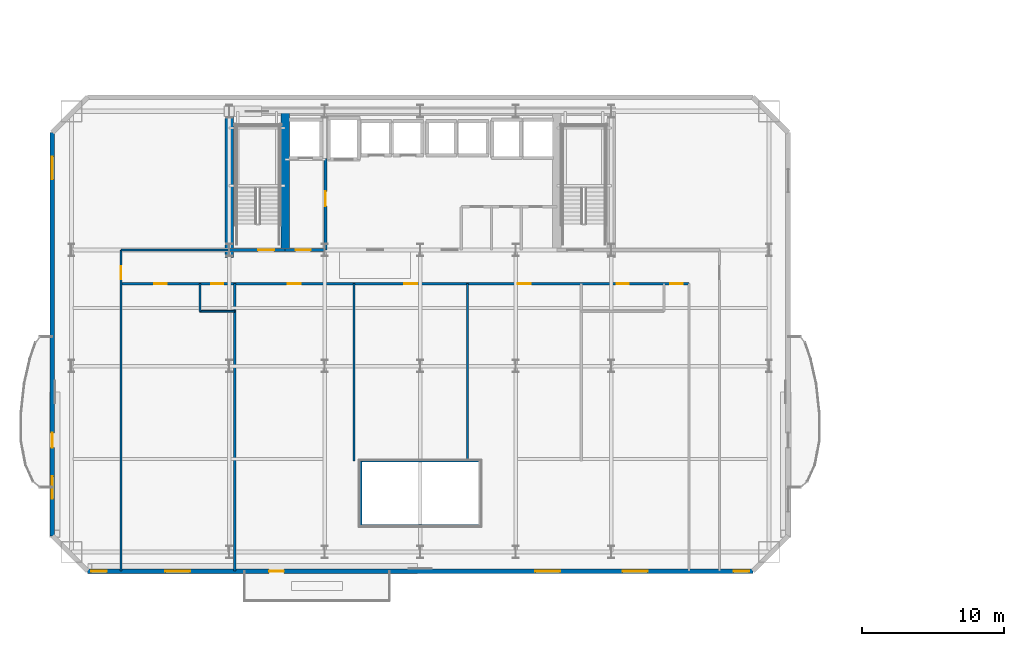
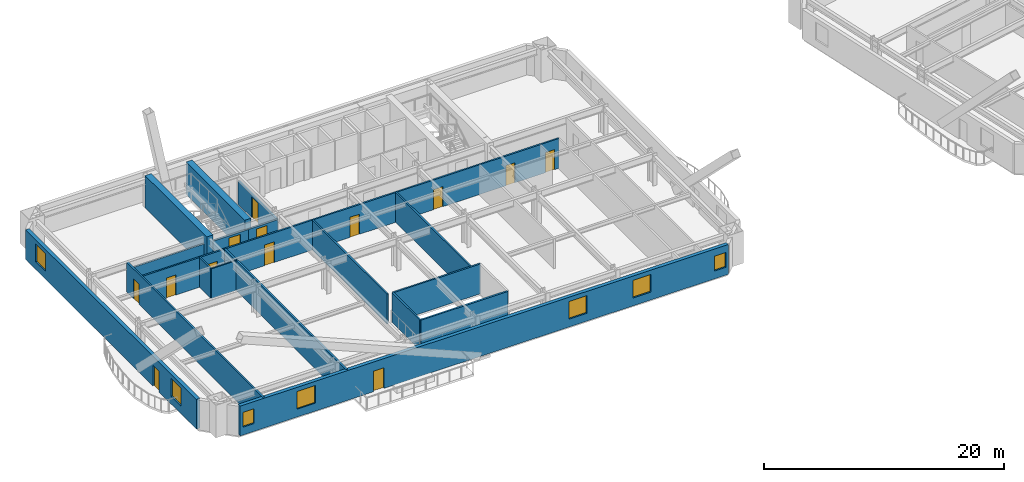
# One storey, part 5 of 18: 18 walls, 13 doors, 7 windows, 20 openings.
"""IFC4 building model written with IfcOpenShell, lengths in metres."""

from ifc_helpers import new_model, si_unit, direction, frame, frame_2d, origin, place, context, subcontext, project, spatial, rectangle, extrude, material, layer, layer_set, type_object, element, fill, save


model = new_model("IFC4")

# Units and contexts
model_context = context("Model", 3, precision=1e-05, world=origin(), true_north=direction((0.0, 1.0)))
body_context = subcontext(model_context, "Body", "Model", "MODEL_VIEW")
ifc_project = project(units=[si_unit("LENGTHUNIT", "METRE"), si_unit("AREAUNIT", "SQUARE_METRE"), si_unit("VOLUMEUNIT", "CUBIC_METRE"), si_unit("PLANEANGLEUNIT", "RADIAN"), si_unit("MASSUNIT", "GRAM", prefix="KILO")], contexts=[model_context])

# Site, building, storey
site_placement = place(None, origin())
site = spatial("IfcSite", under=ifc_project, at=site_placement, CompositionType="ELEMENT")
building_placement = place(site_placement, origin())
building = spatial("IfcBuilding", under=site, at=building_placement, Name="Haevon Station Towers", CompositionType="ELEMENT")
storey_placement = place(building_placement, frame((0.0, 0.0, 60.300048828125)))
storey = spatial("IfcBuildingStorey", under=building, at=storey_placement, Name="L15", CompositionType="ELEMENT", Elevation=60.300048828125)

# Walls
ifc_material_1 = material(Name="Gypsum board on steel stud", Category="steel")
ifc_layer_1 = layer(ifc_material_1, 0.179931640625)
ifc_layer_set_1 = layer_set([ifc_layer_1], Name="Gypsum board on steel stud")
wall_type_1 = type_object("IfcWallType", Name="WL-ACU180", PredefinedType="PARTITIONING", material=ifc_layer_set_1)
wall_1_placement = place(storey_placement, frame((33.300048828125, 18.699951171875, 0.0), z_axis=(0.0, 0.0, 1.0), x_axis=(1.0, 0.0, 0.0)))
element("IfcWall", 1, at=wall_1_placement, inside=storey, type_object=wall_type_1, Name="WL-T1PT-L15-06", PredefinedType="PARTITIONING", context=body_context, shape_type="SweptSolid", body=[
    extrude(rectangle(XDim=8.39990234375, YDim=0.179931640625, at=frame_2d((4.199951171875, 0.0))), origin(), (0.0, 0.0, 1.0), 3.030029296875),
])
wall_2_placement = place(storey_placement, frame((24.3798828125, 15.5, 0.0), z_axis=(0.0, 0.0, 1.0), x_axis=(0.0, 1.0, 0.0)))
element("IfcWall", 2, at=wall_2_placement, inside=storey, type_object=wall_type_1, Name="WL-T1PT-L15-12", PredefinedType="PARTITIONING", context=body_context, shape_type="SweptSolid", body=[
    extrude(rectangle(XDim=20.320068359375, YDim=0.179931640625, at=frame_2d((10.16015625, 0.0))), origin(), (0.0, 0.0, 1.0), 3.030029296875),
])

# Wall, opening, door
ifc_layer_2 = layer(ifc_material_1, 0.199951171875)
ifc_layer_set_2 = layer_set([ifc_layer_2], Name="Gypsum board on steel stud")
wall_type_2 = type_object("IfcWallType", Name="WL-COR200", PredefinedType="PARTITIONING", material=ifc_layer_set_2)
wall_3_placement = place(storey_placement, frame((24.0, 38.199951171875, 0.0), z_axis=(0.0, 0.0, 1.0), x_axis=(1.0, 0.0, 0.0)))
wall_3 = element("IfcWall", 3, at=wall_3_placement, inside=storey, type_object=wall_type_2, Name="WL-ST-ST1-L15", PredefinedType="PARTITIONING", context=body_context, shape_type="SweptSolid", body=[
    extrude(rectangle(XDim=3.949951171875, YDim=0.199951171875, at=frame_2d((1.97509765625, 0.0))), origin(), (0.0, 0.0, 1.0), 2.329833984375),
])
opening_1_placement = place(wall_3_placement, frame((2.050048828125, 0.0, 0.0)))
opening_1 = element("IfcOpeningElement", 4, at=opening_1_placement, cuts=wall_3, Name="Opening DR-ST-ST1-L15", PredefinedType="OPENING", context=body_context, shape_type="SweptSolid", body=[
    extrude(rectangle(XDim=1.1201171875, YDim=2.10009765625, at=frame_2d((0.56005859375, 1.050048828125))), frame((0.0, 0.10986328125, 0.0), z_axis=(0.0, -1.0, 0.0), x_axis=(1.0, 0.0, 0.0)), (0.0, 0.0, 1.0), 0.219970703125),
])
ifc_material_2 = material(Name="Engineered oak timber", Category="wood")
door_type_1 = type_object("IfcDoorType", Name="DR-ST-1120", OperationType="NOTDEFINED", PredefinedType="DOOR", material=ifc_material_2)
door_1_placement = place(opening_1_placement, origin())
door_1 = element("IfcDoor", 5, at=door_1_placement, inside=storey, type_object=door_type_1, Name="L15 Escape Stair ST1 Fire Door", OperationType="SINGLE_SWING_RIGHT", OverallHeight=2.10009765625, OverallWidth=1.1201171875, PredefinedType="DOOR", context=body_context, shape_type="SweptSolid", body=[
    extrude(rectangle(XDim=1.1201171875, YDim=2.10009765625, at=frame_2d((0.56005859375, 1.050048828125))), frame((0.0, 0.02490234375, 0.0), z_axis=(0.0, -1.0, 0.0), x_axis=(1.0, 0.0, 0.0)), (0.0, 0.0, 1.0), 0.050048828125),
])
fill(opening_1, door_1)

wall_4_placement = place(storey_placement, frame((30.800048828125, 38.199951171875, 0.0), z_axis=(0.0, 0.0, 1.0), x_axis=(0.0, 1.0, 0.0)))
wall_4 = element("IfcWall", 6, at=wall_4_placement, inside=storey, type_object=wall_type_2, Name="WL-T1FFL-L15-E", PredefinedType="PARTITIONING", context=body_context, shape_type="SweptSolid", body=[
    extrude(rectangle(XDim=6.449951171875, YDim=0.199951171875, at=frame_2d((3.22509765625, 0.0))), origin(), (0.0, 0.0, 1.0), 2.329833984375),
])
opening_2_placement = place(wall_4_placement, frame((3.10009765625, 0.0, 0.0)))
opening_2 = element("IfcOpeningElement", 7, at=opening_2_placement, cuts=wall_4, Name="Opening DR-T1FFL-L15-E", PredefinedType="OPENING", context=body_context, shape_type="SweptSolid", body=[
    extrude(rectangle(XDim=1.050048828125, YDim=2.10009765625, at=frame_2d((0.52490234375, 1.050048828125))), frame((0.0, 0.10986328125, 0.0), z_axis=(0.0, -1.0, 0.0), x_axis=(1.0, 0.0, 0.0)), (0.0, 0.0, 1.0), 0.219970703125),
])
door_type_2 = type_object("IfcDoorType", Name="DR-FD60-1050", OperationType="NOTDEFINED", PredefinedType="DOOR", material=ifc_material_2)
door_2_placement = place(opening_2_placement, origin())
door_2 = element("IfcDoor", 8, at=door_2_placement, inside=storey, type_object=door_type_2, Name="L15 Tower 1 Firefighting Lift Lobby Door E", OperationType="SINGLE_SWING_RIGHT", OverallHeight=2.10009765625, OverallWidth=1.050048828125, PredefinedType="DOOR", context=body_context, shape_type="SweptSolid", body=[
    extrude(rectangle(XDim=1.050048828125, YDim=2.10009765625, at=frame_2d((0.52490234375, 1.050048828125))), frame((0.0, 0.02490234375, 0.0), z_axis=(0.0, -1.0, 0.0), x_axis=(1.0, 0.0, 0.0)), (0.0, 0.0, 1.0), 0.050048828125),
])
fill(opening_2, door_2)

wall_5_placement = place(storey_placement, frame((27.949951171875, 38.199951171875, 0.0), z_axis=(0.0, 0.0, 1.0), x_axis=(1.0, 0.0, 0.0)))
wall_5 = element("IfcWall", 9, at=wall_5_placement, inside=storey, type_object=wall_type_2, Name="WL-T1FFL-L15-S", PredefinedType="PARTITIONING", context=body_context, shape_type="SweptSolid", body=[
    extrude(rectangle(XDim=2.85009765625, YDim=0.199951171875, at=frame_2d((1.425048828125, 0.0))), origin(), (0.0, 0.0, 1.0), 2.329833984375),
])
opening_3_placement = place(wall_5_placement, frame((0.75, 0.0, 0.0)))
opening_3 = element("IfcOpeningElement", 10, at=opening_3_placement, cuts=wall_5, Name="Opening DR-T1FFL-L15-S", PredefinedType="OPENING", context=body_context, shape_type="SweptSolid", body=[
    extrude(rectangle(XDim=1.050048828125, YDim=2.10009765625, at=frame_2d((0.52490234375, 1.050048828125))), frame((0.0, 0.10986328125, 0.0), z_axis=(0.0, -1.0, 0.0), x_axis=(1.0, 0.0, 0.0)), (0.0, 0.0, 1.0), 0.219970703125),
])
door_3_placement = place(opening_3_placement, origin())
door_3 = element("IfcDoor", 11, at=door_3_placement, inside=storey, type_object=door_type_2, Name="L15 Tower 1 Firefighting Lift Lobby Door S", OperationType="SINGLE_SWING_LEFT", OverallHeight=2.10009765625, OverallWidth=1.050048828125, PredefinedType="DOOR", context=body_context, shape_type="SweptSolid", body=[
    extrude(rectangle(XDim=1.050048828125, YDim=2.10009765625, at=frame_2d((0.52490234375, 1.050048828125))), frame((0.0, 0.02490234375, 0.0), z_axis=(0.0, -1.0, 0.0), x_axis=(1.0, 0.0, 0.0)), (0.0, 0.0, 1.0), 0.050048828125),
])
fill(opening_3, door_3)

# Walls
ifc_material_3 = material(Name="Concrete C60/75", Category="concrete")
ifc_layer_3 = layer(ifc_material_3, 0.60009765625)
ifc_layer_set_3 = layer_set([ifc_layer_3], Name="Concrete C60/75")
wall_type_3 = type_object("IfcWallType", Name="WL-CR600", PredefinedType="SHEAR", material=ifc_layer_set_3)
wall_6_placement = place(storey_placement, frame((24.0, 37.679931640625, 0.0), z_axis=(0.0, 0.0, 1.0), x_axis=(0.0, 1.0, 0.0)))
element("IfcWall", 12, at=wall_6_placement, inside=storey, type_object=wall_type_3, Name="WL-T1CR-L15-W", PredefinedType="SHEAR", context=body_context, shape_type="SweptSolid", body=[
    extrude(rectangle(XDim=10.320068359375, YDim=0.60009765625, at=frame_2d((5.16015625, 0.0))), origin(), (0.0, 0.0, 1.0), 3.300048828125),
])
wall_7_placement = place(storey_placement, frame((27.949951171875, 38.199951171875, 0.0), z_axis=(0.0, 0.0, 1.0), x_axis=(0.0, 1.0, 0.0)))
element("IfcWall", 13, at=wall_7_placement, inside=storey, type_object=wall_type_3, Name="WL-T1CR-L15-M1", PredefinedType="SHEAR", context=body_context, shape_type="SweptSolid", body=[
    extrude(rectangle(XDim=9.800048828125, YDim=0.60009765625, at=frame_2d((4.89990234375, 0.0))), origin(), (0.0, 0.0, 1.0), 3.300048828125),
])

# Wall, openings, door, windows
ifc_material_4 = material(Name="Precast concrete C45/55", Category="concrete")
ifc_layer_4 = layer(ifc_material_4, 0.340087890625)
ifc_layer_set_4 = layer_set([ifc_layer_4], Name="Precast concrete C45/55")
wall_type_4 = type_object("IfcWallType", Name="WL-EXT-PIER340", PredefinedType="SOLIDWALL", material=ifc_layer_set_4)
wall_8_placement = place(storey_placement, frame((61.0, 15.5, 0.0), z_axis=(0.0, 0.0, 1.0), x_axis=(-1.0, 0.0, 0.0)))
wall_8 = element("IfcWall", 14, at=wall_8_placement, inside=storey, type_object=wall_type_4, Name="WL-T1-L15-S", PredefinedType="SOLIDWALL", context=body_context, shape_type="SweptSolid", body=[
    extrude(rectangle(XDim=47.0, YDim=0.340087890625, at=frame_2d((23.5, 0.0))), origin(), (0.0, 0.0, 1.0), 3.030029296875),
])
opening_4_placement = place(wall_8_placement, frame((33.134521484375, 0.0, 0.0)))
opening_4 = element("IfcOpeningElement", 15, at=opening_4_placement, cuts=wall_8, Name="Opening DR-T1-PBAND-L15-1", PredefinedType="OPENING", context=body_context, shape_type="SweptSolid", body=[
    extrude(rectangle(XDim=1.050048828125, YDim=2.10009765625, at=frame_2d((0.52490234375, 1.050048828125))), frame((0.0, 0.179931640625, 0.0), z_axis=(0.0, -1.0, 0.0), x_axis=(1.0, 0.0, 0.0)), (0.0, 0.0, 1.0), 0.360107421875),
])
opening_5_placement = place(wall_8_placement, frame((45.64990234375, 0.0, 0.800048828125)))
opening_5 = element("IfcOpeningElement", 16, at=opening_5_placement, cuts=wall_8, Name="Opening WN-COR110", PredefinedType="OPENING", context=body_context, shape_type="SweptSolid", body=[
    extrude(rectangle(XDim=1.10009765625, YDim=1.5, at=frame_2d((0.550048828125, 0.75))), frame((0.0, 0.179931640625, 0.0), z_axis=(0.0, -1.0, 0.0), x_axis=(1.0, 0.0, 0.0)), (0.0, 0.0, 1.0), 0.360107421875),
])
opening_6_placement = place(wall_8_placement, frame((0.25, 0.0, 0.800048828125)))
opening_6 = element("IfcOpeningElement", 17, at=opening_6_placement, cuts=wall_8, Name="Opening WN-COR110", PredefinedType="OPENING", context=body_context, shape_type="SweptSolid", body=[
    extrude(rectangle(XDim=1.10009765625, YDim=1.5, at=frame_2d((0.550048828125, 0.75))), frame((0.0, 0.179931640625, 0.0), z_axis=(0.0, -1.0, 0.0), x_axis=(1.0, 0.0, 0.0)), (0.0, 0.0, 1.0), 0.360107421875),
])
opening_7_placement = place(wall_8_placement, frame((39.760009765625, 0.0, 0.800048828125)))
opening_7 = element("IfcOpeningElement", 18, at=opening_7_placement, cuts=wall_8, Name="Opening WN-P175", PredefinedType="OPENING", context=body_context, shape_type="SweptSolid", body=[
    extrude(rectangle(XDim=1.75, YDim=1.800048828125, at=frame_2d((0.875, 0.89990234375))), frame((0.0, 0.179931640625, 0.0), z_axis=(0.0, -1.0, 0.0), x_axis=(1.0, 0.0, 0.0)), (0.0, 0.0, 1.0), 0.360107421875),
])
opening_8_placement = place(wall_8_placement, frame((13.607666015625, 0.0, 0.800048828125)))
opening_8 = element("IfcOpeningElement", 19, at=opening_8_placement, cuts=wall_8, Name="Opening WN-P175", PredefinedType="OPENING", context=body_context, shape_type="SweptSolid", body=[
    extrude(rectangle(XDim=1.75, YDim=1.800048828125, at=frame_2d((0.875, 0.89990234375))), frame((0.0, 0.179931640625, 0.0), z_axis=(0.0, -1.0, 0.0), x_axis=(1.0, 0.0, 0.0)), (0.0, 0.0, 1.0), 0.360107421875),
])
opening_9_placement = place(wall_8_placement, frame((7.439208984375, 0.0, 0.800048828125)))
opening_9 = element("IfcOpeningElement", 20, at=opening_9_placement, cuts=wall_8, Name="Opening WN-P175", PredefinedType="OPENING", context=body_context, shape_type="SweptSolid", body=[
    extrude(rectangle(XDim=1.75, YDim=1.800048828125, at=frame_2d((0.875, 0.89990234375))), frame((0.0, 0.179931640625, 0.0), z_axis=(0.0, -1.0, 0.0), x_axis=(1.0, 0.0, 0.0)), (0.0, 0.0, 1.0), 0.360107421875),
])
ifc_material_5 = material(Name="Thermally broken anodised aluminium and laminated safety glass", Category="aluminium")
door_type_3 = type_object("IfcDoorType", Name="DR-BALC-1050", OperationType="NOTDEFINED", PredefinedType="DOOR", material=ifc_material_5)
door_4_placement = place(opening_4_placement, origin())
door_4 = element("IfcDoor", 21, at=door_4_placement, inside=storey, type_object=door_type_3, Name="Tower 1 L15 Balcony Terrace Door", OperationType="SINGLE_SWING_RIGHT", OverallHeight=2.10009765625, OverallWidth=1.050048828125, PredefinedType="DOOR", context=body_context, shape_type="SweptSolid", body=[
    extrude(rectangle(XDim=1.050048828125, YDim=2.10009765625, at=frame_2d((0.52490234375, 1.050048828125))), frame((0.0, 0.02490234375, 0.0), z_axis=(0.0, -1.0, 0.0), x_axis=(1.0, 0.0, 0.0)), (0.0, 0.0, 1.0), 0.050048828125),
])
fill(opening_4, door_4)
ifc_material_6 = material(Name="Low-E triple glazing in thermally broken aluminium", Category="aluminium")
window_type_1 = type_object("IfcWindowType", Name="WN-COR110", PartitioningType="SINGLE_PANEL", PredefinedType="WINDOW", material=ifc_material_6)
window_1_placement = place(opening_5_placement, origin())
window_1 = element("IfcWindow", 22, at=window_1_placement, inside=storey, type_object=window_type_1, Name="WN-T1-L15-S01", OverallHeight=1.5, OverallWidth=1.10009765625, PartitioningType="SINGLE_PANEL", PredefinedType="WINDOW", context=body_context, shape_type="SweptSolid", body=[
    extrude(rectangle(XDim=1.10009765625, YDim=1.5, at=frame_2d((0.550048828125, 0.75))), frame((0.0, 0.030029296875, 0.0), z_axis=(0.0, -1.0, 0.0), x_axis=(1.0, 0.0, 0.0)), (0.0, 0.0, 1.0), 0.06005859375),
])
fill(opening_5, window_1)
window_2_placement = place(opening_6_placement, origin())
window_2 = element("IfcWindow", 23, at=window_2_placement, inside=storey, type_object=window_type_1, Name="WN-T1-L15-S02", OverallHeight=1.5, OverallWidth=1.10009765625, PartitioningType="SINGLE_PANEL", PredefinedType="WINDOW", context=body_context, shape_type="SweptSolid", body=[
    extrude(rectangle(XDim=1.10009765625, YDim=1.5, at=frame_2d((0.550048828125, 0.75))), frame((0.0, 0.030029296875, 0.0), z_axis=(0.0, -1.0, 0.0), x_axis=(1.0, 0.0, 0.0)), (0.0, 0.0, 1.0), 0.06005859375),
])
fill(opening_6, window_2)
window_type_2 = type_object("IfcWindowType", Name="WN-P175", PartitioningType="SINGLE_PANEL", PredefinedType="WINDOW", material=ifc_material_6)
window_3_placement = place(opening_7_placement, origin())
window_3 = element("IfcWindow", 24, at=window_3_placement, inside=storey, type_object=window_type_2, Name="WN-T1-L15-S03", OverallHeight=1.800048828125, OverallWidth=1.75, PartitioningType="SINGLE_PANEL", PredefinedType="WINDOW", context=body_context, shape_type="SweptSolid", body=[
    extrude(rectangle(XDim=1.75, YDim=1.800048828125, at=frame_2d((0.875, 0.89990234375))), frame((0.0, 0.030029296875, 0.0), z_axis=(0.0, -1.0, 0.0), x_axis=(1.0, 0.0, 0.0)), (0.0, 0.0, 1.0), 0.06005859375),
])
fill(opening_7, window_3)
window_4_placement = place(opening_8_placement, origin())
window_4 = element("IfcWindow", 25, at=window_4_placement, inside=storey, type_object=window_type_2, Name="WN-T1-L15-S04", OverallHeight=1.800048828125, OverallWidth=1.75, PartitioningType="SINGLE_PANEL", PredefinedType="WINDOW", context=body_context, shape_type="SweptSolid", body=[
    extrude(rectangle(XDim=1.75, YDim=1.800048828125, at=frame_2d((0.875, 0.89990234375))), frame((0.0, 0.030029296875, 0.0), z_axis=(0.0, -1.0, 0.0), x_axis=(1.0, 0.0, 0.0)), (0.0, 0.0, 1.0), 0.06005859375),
])
fill(opening_8, window_4)
window_5_placement = place(opening_9_placement, origin())
window_5 = element("IfcWindow", 26, at=window_5_placement, inside=storey, type_object=window_type_2, Name="WN-T1-L15-S05", OverallHeight=1.800048828125, OverallWidth=1.75, PartitioningType="SINGLE_PANEL", PredefinedType="WINDOW", context=body_context, shape_type="SweptSolid", body=[
    extrude(rectangle(XDim=1.75, YDim=1.800048828125, at=frame_2d((0.875, 0.89990234375))), frame((0.0, 0.030029296875, 0.0), z_axis=(0.0, -1.0, 0.0), x_axis=(1.0, 0.0, 0.0)), (0.0, 0.0, 1.0), 0.06005859375),
])
fill(opening_9, window_5)

wall_9_placement = place(storey_placement, frame((11.5, 18.0, 0.0), z_axis=(0.0, 0.0, 1.0), x_axis=(0.0, 1.0, 0.0)))
wall_9 = element("IfcWall", 27, at=wall_9_placement, inside=storey, type_object=wall_type_4, Name="WL-T1-L15-W", PredefinedType="SOLIDWALL", context=body_context, shape_type="SweptSolid", body=[
    extrude(rectangle(XDim=28.5, YDim=0.340087890625, at=frame_2d((14.25, 0.0))), origin(), (0.0, 0.0, 1.0), 3.030029296875),
])
opening_10_placement = place(wall_9_placement, frame((6.22509765625, 0.0, 0.0)))
opening_10 = element("IfcOpeningElement", 28, at=opening_10_placement, cuts=wall_9, Name="Opening DR-T1-SCAL-L15-W", PredefinedType="OPENING", context=body_context, shape_type="SweptSolid", body=[
    extrude(rectangle(XDim=1.050048828125, YDim=2.10009765625, at=frame_2d((0.52490234375, 1.050048828125))), frame((0.0, 0.179931640625, 0.0), z_axis=(0.0, -1.0, 0.0), x_axis=(1.0, 0.0, 0.0)), (0.0, 0.0, 1.0), 0.360107421875),
])
opening_11_placement = place(wall_9_placement, frame((2.607177734375, 0.0, 0.800048828125)))
opening_11 = element("IfcOpeningElement", 29, at=opening_11_placement, cuts=wall_9, Name="Opening WN-END160", PredefinedType="OPENING", context=body_context, shape_type="SweptSolid", body=[
    extrude(rectangle(XDim=1.60009765625, YDim=1.800048828125, at=frame_2d((0.800048828125, 0.89990234375))), frame((0.0, 0.179931640625, 0.0), z_axis=(0.0, -1.0, 0.0), x_axis=(1.0, 0.0, 0.0)), (0.0, 0.0, 1.0), 0.360107421875),
])
opening_12_placement = place(wall_9_placement, frame((25.1962890625, 0.0, 0.800048828125)))
opening_12 = element("IfcOpeningElement", 30, at=opening_12_placement, cuts=wall_9, Name="Opening WN-END160", PredefinedType="OPENING", context=body_context, shape_type="SweptSolid", body=[
    extrude(rectangle(XDim=1.60009765625, YDim=1.800048828125, at=frame_2d((0.800048828125, 0.89990234375))), frame((0.0, 0.179931640625, 0.0), z_axis=(0.0, -1.0, 0.0), x_axis=(1.0, 0.0, 0.0)), (0.0, 0.0, 1.0), 0.360107421875),
])
door_5_placement = place(opening_10_placement, origin())
door_5 = element("IfcDoor", 31, at=door_5_placement, inside=storey, type_object=door_type_3, Name="Tower 1 L15 West Scalloped Balcony Door", OperationType="SINGLE_SWING_LEFT", OverallHeight=2.10009765625, OverallWidth=1.050048828125, PredefinedType="DOOR", context=body_context, shape_type="SweptSolid", body=[
    extrude(rectangle(XDim=1.050048828125, YDim=2.10009765625, at=frame_2d((0.52490234375, 1.050048828125))), frame((0.0, 0.02490234375, 0.0), z_axis=(0.0, -1.0, 0.0), x_axis=(1.0, 0.0, 0.0)), (0.0, 0.0, 1.0), 0.050048828125),
])
fill(opening_10, door_5)
window_type_3 = type_object("IfcWindowType", Name="WN-END160", PartitioningType="SINGLE_PANEL", PredefinedType="WINDOW", material=ifc_material_6)
window_6_placement = place(opening_11_placement, origin())
window_6 = element("IfcWindow", 32, at=window_6_placement, inside=storey, type_object=window_type_3, Name="WN-T1-L15-W01", OverallHeight=1.800048828125, OverallWidth=1.60009765625, PartitioningType="SINGLE_PANEL", PredefinedType="WINDOW", context=body_context, shape_type="SweptSolid", body=[
    extrude(rectangle(XDim=1.60009765625, YDim=1.800048828125, at=frame_2d((0.800048828125, 0.89990234375))), frame((0.0, 0.030029296875, 0.0), z_axis=(0.0, -1.0, 0.0), x_axis=(1.0, 0.0, 0.0)), (0.0, 0.0, 1.0), 0.06005859375),
])
fill(opening_11, window_6)
window_7_placement = place(opening_12_placement, origin())
window_7 = element("IfcWindow", 33, at=window_7_placement, inside=storey, type_object=window_type_3, Name="WN-T1-L15-W02", OverallHeight=1.800048828125, OverallWidth=1.60009765625, PartitioningType="SINGLE_PANEL", PredefinedType="WINDOW", context=body_context, shape_type="SweptSolid", body=[
    extrude(rectangle(XDim=1.60009765625, YDim=1.800048828125, at=frame_2d((0.800048828125, 0.89990234375))), frame((0.0, 0.030029296875, 0.0), z_axis=(0.0, -1.0, 0.0), x_axis=(1.0, 0.0, 0.0)), (0.0, 0.0, 1.0), 0.06005859375),
])
fill(opening_12, window_7)

# Walls
ifc_layer_5 = layer(ifc_material_1, 0.125)
ifc_layer_set_5 = layer_set([ifc_layer_5], Name="Gypsum board on steel stud")
wall_type_5 = type_object("IfcWallType", Name="WL-PRT125", PredefinedType="PARTITIONING", material=ifc_layer_set_5)
wall_10_placement = place(storey_placement, frame((21.929931640625, 33.8701171875, 0.0), z_axis=(0.0, 0.0, 1.0), x_axis=(1.0, 0.0, 0.0)))
element("IfcWall", 34, at=wall_10_placement, inside=storey, type_object=wall_type_5, Name="WL-T1PT-L15-10", PredefinedType="PARTITIONING", context=body_context, shape_type="SweptSolid", body=[
    extrude(rectangle(XDim=2.449951171875, YDim=0.125, at=frame_2d((1.22509765625, 0.0))), origin(), (0.0, 0.0, 1.0), 3.030029296875),
])
wall_11_placement = place(storey_placement, frame((21.929931640625, 33.8701171875, 0.0), z_axis=(0.0, 0.0, 1.0), x_axis=(0.0, 1.0, 0.0)))
element("IfcWall", 35, at=wall_11_placement, inside=storey, type_object=wall_type_5, Name="WL-T1PT-L15-11", PredefinedType="PARTITIONING", context=body_context, shape_type="SweptSolid", body=[
    extrude(rectangle(XDim=1.949951171875, YDim=0.125, at=frame_2d((0.97509765625, 0.0))), origin(), (0.0, 0.0, 1.0), 3.030029296875),
])
ifc_layer_6 = layer(ifc_material_1, 0.159912109375)
ifc_layer_set_6 = layer_set([ifc_layer_6], Name="Gypsum board on steel stud")
wall_type_6 = type_object("IfcWallType", Name="WL-PRT160", PredefinedType="PARTITIONING", material=ifc_layer_set_6)
wall_12_placement = place(storey_placement, frame((16.35009765625, 38.199951171875, 0.0), z_axis=(0.0, 0.0, 1.0), x_axis=(1.0, 0.0, 0.0)))
element("IfcWall", 36, at=wall_12_placement, inside=storey, type_object=wall_type_6, Name="WL-T1PT-L15-02", PredefinedType="PARTITIONING", context=body_context, shape_type="SweptSolid", body=[
    extrude(rectangle(XDim=7.64990234375, YDim=0.159912109375, at=frame_2d((3.824951171875, 0.0))), origin(), (0.0, 0.0, 1.0), 2.329833984375),
])

# Wall, opening, door
wall_13_placement = place(storey_placement, frame((16.35009765625, 15.5, 0.0), z_axis=(0.0, 0.0, 1.0), x_axis=(0.0, 1.0, 0.0)))
wall_13 = element("IfcWall", 37, at=wall_13_placement, inside=storey, type_object=wall_type_6, Name="WL-T1PT-L15-04", PredefinedType="PARTITIONING", context=body_context, shape_type="SweptSolid", body=[
    extrude(rectangle(XDim=22.699951171875, YDim=0.159912109375, at=frame_2d((11.35009765625, 0.0))), origin(), (0.0, 0.0, 1.0), 3.030029296875),
])
opening_13_placement = place(wall_13_placement, frame((20.639892578125, 0.0, 0.0)))
opening_13 = element("IfcOpeningElement", 38, at=opening_13_placement, cuts=wall_13, Name="Opening DR-WL-T1PT-L15-04-01", PredefinedType="OPENING", context=body_context, shape_type="SweptSolid", body=[
    extrude(rectangle(XDim=0.89990234375, YDim=2.050048828125, at=frame_2d((0.449951171875, 1.02490234375))), frame((0.0, 0.08984375, 0.0), z_axis=(0.0, -1.0, 0.0), x_axis=(1.0, 0.0, 0.0)), (0.0, 0.0, 1.0), 0.179931640625),
])
door_type_4 = type_object("IfcDoorType", Name="DR-INT-900", OperationType="NOTDEFINED", PredefinedType="DOOR", material=ifc_material_2)
door_6_placement = place(opening_13_placement, origin())
door_6 = element("IfcDoor", 39, at=door_6_placement, inside=storey, type_object=door_type_4, Name="L15 Tower 1 Room Door 4-1", OperationType="SINGLE_SWING_RIGHT", OverallHeight=2.050048828125, OverallWidth=0.89990234375, PredefinedType="DOOR", context=body_context, shape_type="SweptSolid", body=[
    extrude(rectangle(XDim=0.89990234375, YDim=2.050048828125, at=frame_2d((0.449951171875, 1.02490234375))), frame((0.0, 0.02490234375, 0.0), z_axis=(0.0, -1.0, 0.0), x_axis=(1.0, 0.0, 0.0)), (0.0, 0.0, 1.0), 0.050048828125),
])
fill(opening_13, door_6)

# Walls
wall_14_placement = place(storey_placement, frame((33.300048828125, 23.300048828125, 0.0), z_axis=(0.0, 0.0, 1.0), x_axis=(1.0, 0.0, 0.0)))
element("IfcWall", 40, at=wall_14_placement, inside=storey, type_object=wall_type_6, Name="WL-T1PT-L15-07", PredefinedType="PARTITIONING", context=body_context, shape_type="SweptSolid", body=[
    extrude(rectangle(XDim=8.39990234375, YDim=0.159912109375, at=frame_2d((4.199951171875, 0.0))), origin(), (0.0, 0.0, 1.0), 3.030029296875),
])
wall_15_placement = place(storey_placement, frame((33.300048828125, 18.699951171875, 0.0), z_axis=(0.0, 0.0, 1.0), x_axis=(0.0, 1.0, 0.0)))
element("IfcWall", 41, at=wall_15_placement, inside=storey, type_object=wall_type_6, Name="WL-T1PT-L15-08", PredefinedType="PARTITIONING", context=body_context, shape_type="SweptSolid", body=[
    extrude(rectangle(XDim=4.60009765625, YDim=0.159912109375, at=frame_2d((2.300048828125, 0.0))), origin(), (0.0, 0.0, 1.0), 3.030029296875),
])
for number, where, z_axis, x_axis, name in (
    (42, (32.8115234375, 23.300048828125, 0.0), (0.0, 0.0, 1.0), (0.0, 1.0, 0.0), "WL-T1PT-L15-13"),
    (43, (40.841552734375, 23.300048828125, 0.0), (0.0, 0.0, 1.0), (0.0, 1.0, 0.0), "WL-T1PT-L15-14"),
):
    element("IfcWall", number, at=place(storey_placement, frame(where, z_axis=z_axis, x_axis=x_axis)), inside=storey, type_object=wall_type_6, Name=name, PredefinedType="PARTITIONING", context=body_context, shape_type="SweptSolid", body=[
        extrude(rectangle(XDim=12.52001953125, YDim=0.159912109375, at=frame_2d((6.260009765625, 0.0))), origin(), (0.0, 0.0, 1.0), 3.030029296875),
    ])

# Wall, openings, doors
wall_16_placement = place(storey_placement, frame((16.35009765625, 35.820068359375, 0.0), z_axis=(0.0, 0.0, 1.0), x_axis=(1.0, 0.0, 0.0)))
wall_16 = element("IfcWall", 44, at=wall_16_placement, inside=storey, type_object=wall_type_6, Name="WL-T1PT-L15-20", PredefinedType="PARTITIONING", context=body_context, shape_type="SweptSolid", body=[
    extrude(rectangle(XDim=40.14990234375, YDim=0.159912109375, at=frame_2d((20.074951171875, 0.0))), origin(), (0.0, 0.0, 1.0), 3.030029296875),
])
opening_14_placement = place(wall_16_placement, frame((6.3798828125, 0.0, 0.0)))
opening_14 = element("IfcOpeningElement", 45, at=opening_14_placement, cuts=wall_16, Name="Opening DR-WL-T1PT-L15-20-01", PredefinedType="OPENING", context=body_context, shape_type="SweptSolid", body=[
    extrude(rectangle(XDim=0.85009765625, YDim=2.050048828125, at=frame_2d((0.425048828125, 1.02490234375))), frame((0.0, 0.08984375, 0.0), z_axis=(0.0, -1.0, 0.0), x_axis=(1.0, 0.0, 0.0)), (0.0, 0.0, 1.0), 0.179931640625),
])
opening_15_placement = place(wall_16_placement, frame((2.340087890625, 0.0, 0.0)))
opening_15 = element("IfcOpeningElement", 46, at=opening_15_placement, cuts=wall_16, Name="Opening DR-WL-T1PT-L15-20-02", PredefinedType="OPENING", context=body_context, shape_type="SweptSolid", body=[
    extrude(rectangle(XDim=0.89990234375, YDim=2.050048828125, at=frame_2d((0.449951171875, 1.02490234375))), frame((0.0, 0.08984375, 0.0), z_axis=(0.0, -1.0, 0.0), x_axis=(1.0, 0.0, 0.0)), (0.0, 0.0, 1.0), 0.179931640625),
])
opening_16_placement = place(wall_16_placement, frame((11.77099609375, 0.0, 0.0)))
opening_16 = element("IfcOpeningElement", 47, at=opening_16_placement, cuts=wall_16, Name="Opening DR-WL-T1PT-L15-20-03", PredefinedType="OPENING", context=body_context, shape_type="SweptSolid", body=[
    extrude(rectangle(XDim=0.949951171875, YDim=2.10009765625, at=frame_2d((0.47509765625, 1.050048828125))), frame((0.0, 0.08984375, 0.0), z_axis=(0.0, -1.0, 0.0), x_axis=(1.0, 0.0, 0.0)), (0.0, 0.0, 1.0), 0.179931640625),
])
opening_17_placement = place(wall_16_placement, frame((20.027099609375, 0.0, 0.0)))
opening_17 = element("IfcOpeningElement", 48, at=opening_17_placement, cuts=wall_16, Name="Opening DR-WL-T1PT-L15-20-04", PredefinedType="OPENING", context=body_context, shape_type="SweptSolid", body=[
    extrude(rectangle(XDim=0.89990234375, YDim=2.050048828125, at=frame_2d((0.449951171875, 1.02490234375))), frame((0.0, 0.08984375, 0.0), z_axis=(0.0, -1.0, 0.0), x_axis=(1.0, 0.0, 0.0)), (0.0, 0.0, 1.0), 0.179931640625),
])
opening_18_placement = place(wall_16_placement, frame((28.055908203125, 0.0, 0.0)))
opening_18 = element("IfcOpeningElement", 49, at=opening_18_placement, cuts=wall_16, Name="Opening DR-WL-T1PT-L15-20-05", PredefinedType="OPENING", context=body_context, shape_type="SweptSolid", body=[
    extrude(rectangle(XDim=0.89990234375, YDim=2.050048828125, at=frame_2d((0.449951171875, 1.02490234375))), frame((0.0, 0.08984375, 0.0), z_axis=(0.0, -1.0, 0.0), x_axis=(1.0, 0.0, 0.0)), (0.0, 0.0, 1.0), 0.179931640625),
])
opening_19_placement = place(wall_16_placement, frame((35.02099609375, 0.0, 0.0)))
opening_19 = element("IfcOpeningElement", 50, at=opening_19_placement, cuts=wall_16, Name="Opening DR-WL-T1PT-L15-20-06", PredefinedType="OPENING", context=body_context, shape_type="SweptSolid", body=[
    extrude(rectangle(XDim=0.85009765625, YDim=2.050048828125, at=frame_2d((0.425048828125, 1.02490234375))), frame((0.0, 0.08984375, 0.0), z_axis=(0.0, -1.0, 0.0), x_axis=(1.0, 0.0, 0.0)), (0.0, 0.0, 1.0), 0.179931640625),
])
opening_20_placement = place(wall_16_placement, frame((38.81005859375, 0.0, 0.0)))
opening_20 = element("IfcOpeningElement", 51, at=opening_20_placement, cuts=wall_16, Name="Opening DR-WL-T1PT-L15-20-07", PredefinedType="OPENING", context=body_context, shape_type="SweptSolid", body=[
    extrude(rectangle(XDim=0.89990234375, YDim=2.050048828125, at=frame_2d((0.449951171875, 1.02490234375))), frame((0.0, 0.08984375, 0.0), z_axis=(0.0, -1.0, 0.0), x_axis=(1.0, 0.0, 0.0)), (0.0, 0.0, 1.0), 0.179931640625),
])
door_type_5 = type_object("IfcDoorType", Name="DR-FD30-850", OperationType="NOTDEFINED", PredefinedType="DOOR", material=ifc_material_2)
door_7_placement = place(opening_14_placement, origin())
door_7 = element("IfcDoor", 52, at=door_7_placement, inside=storey, type_object=door_type_5, Name="L15 Tower 1 Room Door 20-1", OperationType="SINGLE_SWING_RIGHT", OverallHeight=2.050048828125, OverallWidth=0.85009765625, PredefinedType="DOOR", context=body_context, shape_type="SweptSolid", body=[
    extrude(rectangle(XDim=0.85009765625, YDim=2.050048828125, at=frame_2d((0.425048828125, 1.02490234375))), frame((0.0, 0.02490234375, 0.0), z_axis=(0.0, -1.0, 0.0), x_axis=(1.0, 0.0, 0.0)), (0.0, 0.0, 1.0), 0.050048828125),
])
fill(opening_14, door_7)
door_8_placement = place(opening_19_placement, origin())
door_8 = element("IfcDoor", 53, at=door_8_placement, inside=storey, type_object=door_type_5, Name="L15 Tower 1 Room Door 20-6", OperationType="SINGLE_SWING_LEFT", OverallHeight=2.050048828125, OverallWidth=0.85009765625, PredefinedType="DOOR", context=body_context, shape_type="SweptSolid", body=[
    extrude(rectangle(XDim=0.85009765625, YDim=2.050048828125, at=frame_2d((0.425048828125, 1.02490234375))), frame((0.0, 0.02490234375, 0.0), z_axis=(0.0, -1.0, 0.0), x_axis=(1.0, 0.0, 0.0)), (0.0, 0.0, 1.0), 0.050048828125),
])
fill(opening_19, door_8)
door_type_6 = type_object("IfcDoorType", Name="DR-FD30-950", OperationType="NOTDEFINED", PredefinedType="DOOR", material=ifc_material_2)
door_9_placement = place(opening_16_placement, origin())
door_9 = element("IfcDoor", 54, at=door_9_placement, inside=storey, type_object=door_type_6, Name="L15 Tower 1 Room Door 20-3", OperationType="SINGLE_SWING_RIGHT", OverallHeight=2.10009765625, OverallWidth=0.949951171875, PredefinedType="DOOR", context=body_context, shape_type="SweptSolid", body=[
    extrude(rectangle(XDim=0.949951171875, YDim=2.10009765625, at=frame_2d((0.47509765625, 1.050048828125))), frame((0.0, 0.02490234375, 0.0), z_axis=(0.0, -1.0, 0.0), x_axis=(1.0, 0.0, 0.0)), (0.0, 0.0, 1.0), 0.050048828125),
])
fill(opening_16, door_9)
door_10_placement = place(opening_15_placement, origin())
door_10 = element("IfcDoor", 55, at=door_10_placement, inside=storey, type_object=door_type_4, Name="L15 Tower 1 Room Door 20-2", OperationType="SINGLE_SWING_LEFT", OverallHeight=2.050048828125, OverallWidth=0.89990234375, PredefinedType="DOOR", context=body_context, shape_type="SweptSolid", body=[
    extrude(rectangle(XDim=0.89990234375, YDim=2.050048828125, at=frame_2d((0.449951171875, 1.02490234375))), frame((0.0, 0.02490234375, 0.0), z_axis=(0.0, -1.0, 0.0), x_axis=(1.0, 0.0, 0.0)), (0.0, 0.0, 1.0), 0.050048828125),
])
fill(opening_15, door_10)
door_11_placement = place(opening_17_placement, origin())
door_11 = element("IfcDoor", 56, at=door_11_placement, inside=storey, type_object=door_type_4, Name="L15 Tower 1 Room Door 20-4", OperationType="SINGLE_SWING_LEFT", OverallHeight=2.050048828125, OverallWidth=0.89990234375, PredefinedType="DOOR", context=body_context, shape_type="SweptSolid", body=[
    extrude(rectangle(XDim=0.89990234375, YDim=2.050048828125, at=frame_2d((0.449951171875, 1.02490234375))), frame((0.0, 0.02490234375, 0.0), z_axis=(0.0, -1.0, 0.0), x_axis=(1.0, 0.0, 0.0)), (0.0, 0.0, 1.0), 0.050048828125),
])
fill(opening_17, door_11)
door_12_placement = place(opening_18_placement, origin())
door_12 = element("IfcDoor", 57, at=door_12_placement, inside=storey, type_object=door_type_4, Name="L15 Tower 1 Room Door 20-5", OperationType="SINGLE_SWING_RIGHT", OverallHeight=2.050048828125, OverallWidth=0.89990234375, PredefinedType="DOOR", context=body_context, shape_type="SweptSolid", body=[
    extrude(rectangle(XDim=0.89990234375, YDim=2.050048828125, at=frame_2d((0.449951171875, 1.02490234375))), frame((0.0, 0.02490234375, 0.0), z_axis=(0.0, -1.0, 0.0), x_axis=(1.0, 0.0, 0.0)), (0.0, 0.0, 1.0), 0.050048828125),
])
fill(opening_18, door_12)
door_13_placement = place(opening_20_placement, origin())
door_13 = element("IfcDoor", 58, at=door_13_placement, inside=storey, type_object=door_type_4, Name="L15 Tower 1 Room Door 20-7", OperationType="SINGLE_SWING_RIGHT", OverallHeight=2.050048828125, OverallWidth=0.89990234375, PredefinedType="DOOR", context=body_context, shape_type="SweptSolid", body=[
    extrude(rectangle(XDim=0.89990234375, YDim=2.050048828125, at=frame_2d((0.449951171875, 1.02490234375))), frame((0.0, 0.02490234375, 0.0), z_axis=(0.0, -1.0, 0.0), x_axis=(1.0, 0.0, 0.0)), (0.0, 0.0, 1.0), 0.050048828125),
])
fill(opening_20, door_13)

save(model, "model.ifc")
